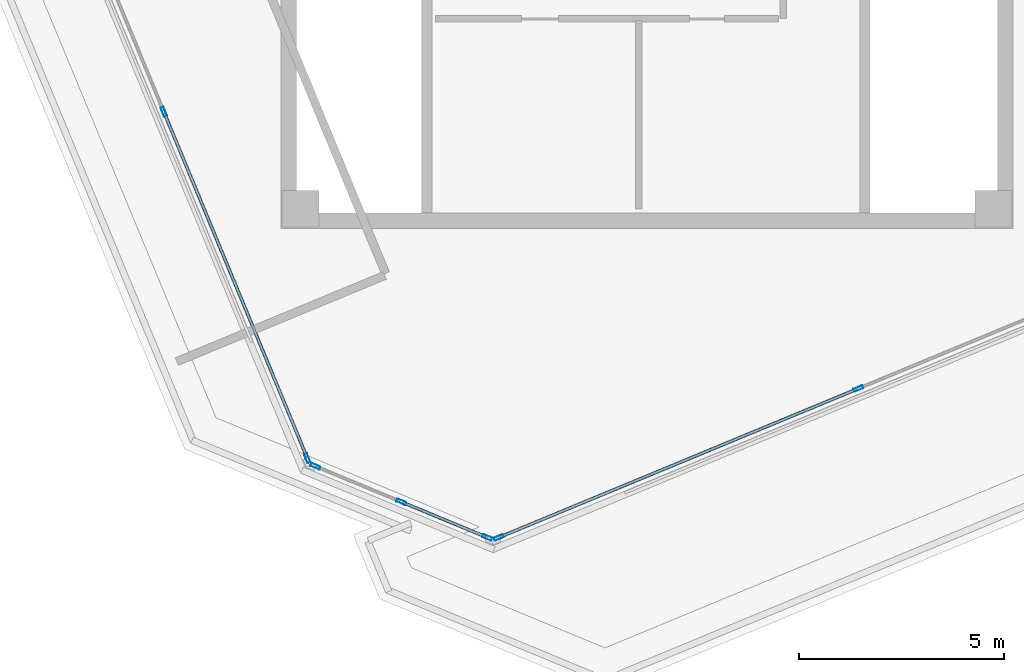
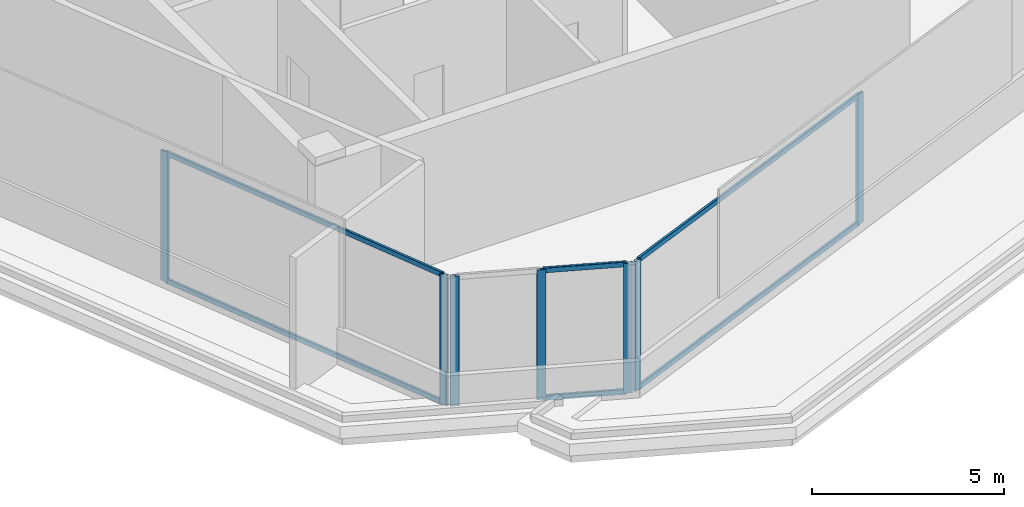
# One storey, part 2 of 11: 13 members, 3 elements without a shape of their own.
"""IFC4 building model written with IfcOpenShell, lengths in metres."""

import ifcopenshell
import ifcopenshell.guid

model = None  # the IFC model being written
_history = None  # IfcOwnerHistory: only IFC2X3 demands one
_inside = {}  # id of a spatial element -> (the spatial element, [elements in it])
_under = {}  # id of a project, library or spatial element -> (it, [spatial elements below it])
_declared = {}  # id of a project -> (the project, [libraries it declares])
_typed = {}  # id of a type object -> (the type object, [elements of that type])
_made_of = {}  # id of a material, layer set ... -> (it, [elements and type objects made of it])


def new_model(schema):
    """Start an empty IFC model of exactly this schema.

    Asked for "IFC4X3", IfcOpenShell would pick the latest addendum, in which some entities
    have other attributes; the version numbers below select the first issue.
    IFC2X3 requires an IfcOwnerHistory on every rooted entity: one is made here for all.
    """
    global model, _history
    if schema == "IFC4X3":
        model = ifcopenshell.file(schema_version=(4, 3, 0, 0))
    else:
        model = ifcopenshell.file(schema=schema)
    _inside.clear()
    _under.clear()
    _declared.clear()
    _typed.clear()
    _made_of.clear()
    _history = None
    if model.schema == "IFC2X3":
        org = make("IfcOrganization", Name="unknown")
        user = make(
            "IfcPersonAndOrganization",
            ThePerson=make("IfcPerson", FamilyName="unknown"),
            TheOrganization=org,
        )
        app = make(
            "IfcApplication",
            ApplicationDeveloper=org,
            Version="unknown",
            ApplicationFullName="unknown",
            ApplicationIdentifier="unknown",
        )
        _history = make(
            "IfcOwnerHistory",
            OwningUser=user,
            OwningApplication=app,
            ChangeAction="ADDED",
            CreationDate=0,
        )
    return model


def make(cls, **values):
    """One entity of the class cls with the attributes given. An attribute that is None is left unset."""
    return model.create_entity(
        cls, **{name: value for name, value in values.items() if value is not None}
    )


def rooted(cls, **values):
    """An entity with a GlobalId (a new one), such as an element, a storey or a relation."""
    return make(cls, GlobalId=ifcopenshell.guid.new(), OwnerHistory=_history, **values)


def si_unit(unit_type, name, prefix=None):
    """IfcSIUnit, for example si_unit("LENGTHUNIT", "METRE", prefix="MILLI")."""
    return make("IfcSIUnit", UnitType=unit_type, Prefix=prefix, Name=name)


def assignment(units):
    """IfcUnitAssignment: the units of a project."""
    return None if units is None else make("IfcUnitAssignment", Units=units)


def point(xyz):
    """IfcCartesianPoint."""
    return None if xyz is None else make("IfcCartesianPoint", Coordinates=xyz)


def direction(xyz):
    """IfcDirection."""
    return None if xyz is None else make("IfcDirection", DirectionRatios=xyz)


def frame(location, z_axis=None, x_axis=None):
    """IfcAxis2Placement3D, a coordinate frame: its origin and axes. An axis left out is left unset."""
    return make(
        "IfcAxis2Placement3D",
        Location=point(location),
        Axis=direction(z_axis),
        RefDirection=direction(x_axis),
    )


def frame_2d(location, x_axis=None):
    """IfcAxis2Placement2D, a coordinate frame in the plane: its origin and x axis."""
    return make(
        "IfcAxis2Placement2D", Location=point(location), RefDirection=direction(x_axis)
    )


def origin():
    """The frame at (0, 0, 0) with its axes left unset."""
    return frame((0.0, 0.0, 0.0))


def origin_2d():
    """The frame at (0, 0) in the plane with its x axis left unset."""
    return frame_2d((0.0, 0.0))


def place(relative_to, where):
    """IfcLocalPlacement: puts the frame where relative to a parent placement (None: the world)."""
    return make(
        "IfcLocalPlacement", PlacementRelTo=relative_to, RelativePlacement=where
    )


def context(
    kind, dimensions, precision=None, world=None, true_north=None, identifier=None
):
    """IfcGeometricRepresentationContext, for example the 3D "Model" context."""
    return make(
        "IfcGeometricRepresentationContext",
        ContextIdentifier=identifier,
        ContextType=kind,
        CoordinateSpaceDimension=dimensions,
        Precision=precision,
        WorldCoordinateSystem=world,
        TrueNorth=true_north,
    )


def subcontext(parent, identifier, kind, view, scale=None):
    """IfcGeometricRepresentationSubContext, for example "Body" below "Model"."""
    return make(
        "IfcGeometricRepresentationSubContext",
        ContextIdentifier=identifier,
        ContextType=kind,
        ParentContext=parent,
        TargetScale=scale,
        TargetView=view,
    )


def project(units=None, contexts=None):
    """IfcProject with its units and contexts."""
    return rooted(
        "IfcProject",
        Name="project",
        RepresentationContexts=contexts,
        UnitsInContext=assignment(units),
    )


def spatial(cls, under=None, at=None, **own):
    """A site, building, storey or space (cls), placed at a placement, below another one or the project."""
    s = rooted(cls, ObjectPlacement=at, **own)
    if under is not None:
        _under.setdefault(under.id(), (under, []))[1].append(s)
    return s


def profile(cls, at=None, kind="AREA", **sizes):
    """A parametric profile (cls). Its sizes go by their IFC names, for example OverallWidth=200.0."""
    return make(cls, ProfileType=kind, Position=at, **sizes)


def hollow_rectangle(**sizes):
    """IfcRectangleHollowProfileDef."""
    return profile("IfcRectangleHollowProfileDef", **sizes)


def extrude(swept, where, along, depth):
    """IfcExtrudedAreaSolid: the profile swept, set in the frame where, extruded along a direction by depth."""
    return make(
        "IfcExtrudedAreaSolid",
        SweptArea=swept,
        Position=where,
        ExtrudedDirection=direction(along),
        Depth=depth,
    )


def shape(context_of_items, identifier, shape_type, items):
    """IfcShapeRepresentation: the items that make up one representation, for example the "Body"."""
    return make(
        "IfcShapeRepresentation",
        ContextOfItems=context_of_items,
        RepresentationIdentifier=identifier,
        RepresentationType=shape_type,
        Items=items,
    )


def source(mapping_origin, context_of_items, identifier, shape_type, items):
    """IfcRepresentationMap: a shape defined once, which mapped items show again and again."""
    return make(
        "IfcRepresentationMap",
        MappingOrigin=mapping_origin,
        MappedRepresentation=shape(context_of_items, identifier, shape_type, items),
    )


def transform(
    local_origin,
    x_axis=None,
    y_axis=None,
    z_axis=None,
    scale=None,
    scale2=None,
    scale3=None,
    uniform=True,
):
    """IfcCartesianTransformationOperator3D, or its non-uniform kind. x_axis, y_axis, z_axis: its Axis1, 2, 3."""
    if uniform:
        return make(
            "IfcCartesianTransformationOperator3D",
            Axis1=direction(x_axis),
            Axis2=direction(y_axis),
            LocalOrigin=point(local_origin),
            Scale=scale,
            Axis3=direction(z_axis),
        )
    return make(
        "IfcCartesianTransformationOperator3DnonUniform",
        Axis1=direction(x_axis),
        Axis2=direction(y_axis),
        LocalOrigin=point(local_origin),
        Scale=scale,
        Axis3=direction(z_axis),
        Scale2=scale2,
        Scale3=scale3,
    )


def mapped(mapping_source, mapping_target):
    """IfcMappedItem: shows the shape of a source again, moved by a transform."""
    return make(
        "IfcMappedItem", MappingSource=mapping_source, MappingTarget=mapping_target
    )


def material(Name=None, Category=None):
    """IfcMaterial."""
    return make("IfcMaterial", Name=Name, Category=Category)


def material_profile(
    of_material, cross_section, Name=None, Category=None, Priority=None
):
    """IfcMaterialProfile: a cross section and its material."""
    return make(
        "IfcMaterialProfile",
        Name=Name,
        Material=of_material,
        Profile=cross_section,
        Priority=Priority,
        Category=Category,
    )


def profile_set(profiles, Name=None, composite=None):
    """IfcMaterialProfileSet."""
    return make(
        "IfcMaterialProfileSet",
        Name=Name,
        MaterialProfiles=profiles,
        CompositeProfile=composite,
    )


def made_of(thing, what):
    """Note that an element or type object is made of a material, layer set ...; save() writes the relation."""
    if what is not None:
        _made_of.setdefault(what.id(), (what, []))[1].append(thing)
    return thing


def type_object(cls, material=None, **own):
    """A type object (cls), such as IfcWallType, which elements share."""
    return made_of(rooted(cls, **own), material)


def element(
    cls,
    number,
    at=None,
    inside=None,
    cuts=None,
    type_object=None,
    material=None,
    context=None,
    identifier="Body",
    shape_type=None,
    held_by="IfcProductDefinitionShape",
    body=None,
    shapes=None,
    **own,
):
    """One element of the class cls, such as IfcWall. Its Tag is "e" and its number.

    at: its placement. inside: the storey or other place that contains it. cuts: it is an
    opening in that element (IfcRelVoidsElement). A single representation is given by context,
    identifier, shape_type and body (its items); several are given by shapes. held_by: the class
    of the entity that holds the representations. save() writes the other relations.
    """
    e = rooted(cls, Tag="e%d" % number, ObjectPlacement=at, **own)
    if body is not None:
        shapes = [shape(context, identifier, shape_type, body)]
    if shapes is not None:
        e.Representation = make(held_by, Representations=shapes)
    if inside is not None:
        _inside.setdefault(inside.id(), (inside, []))[1].append(e)
    if cuts is not None:
        rooted(
            "IfcRelVoidsElement", RelatingBuildingElement=cuts, RelatedOpeningElement=e
        )
    if type_object is not None:
        _typed.setdefault(type_object.id(), (type_object, []))[1].append(e)
    return made_of(e, material)


def aggregate(whole, parts):
    """IfcRelAggregates: a whole, such as a stair, and the parts it consists of."""
    return rooted("IfcRelAggregates", RelatingObject=whole, RelatedObjects=parts)


def save(model, path):
    """Write the relations noted so far, then the file.

    IfcRelAggregates (storeys below a building ...), IfcRelContainedInSpatialStructure (elements
    in a storey), IfcRelDefinesByType, IfcRelAssociatesMaterial and IfcRelDeclares: one each for
    every whole, place, type object, material and project.
    """
    for whole, parts in _under.values():
        aggregate(whole, parts)
    for where, things in _inside.values():
        rooted(
            "IfcRelContainedInSpatialStructure",
            RelatedElements=things,
            RelatingStructure=where,
        )
    for kind, things in _typed.values():
        rooted("IfcRelDefinesByType", RelatedObjects=things, RelatingType=kind)
    for what, things in _made_of.values():
        rooted("IfcRelAssociatesMaterial", RelatedObjects=things, RelatingMaterial=what)
    for by, libraries in _declared.values():
        rooted("IfcRelDeclares", RelatingContext=by, RelatedDefinitions=libraries)
    model.write(path)


model = new_model("IFC4")

# Units and contexts
model_context = context("Model", 3, precision=1e-05, world=origin(), true_north=direction((0.0, 1.0)))
body_context = subcontext(model_context, "Body", "Model", "MODEL_VIEW")
ifc_project = project(units=[si_unit("LENGTHUNIT", "METRE"), si_unit("AREAUNIT", "SQUARE_METRE"), si_unit("VOLUMEUNIT", "CUBIC_METRE"), si_unit("PLANEANGLEUNIT", "RADIAN"), si_unit("MASSUNIT", "GRAM", prefix="KILO")], contexts=[model_context])

# Site, building, storey
site_placement = place(None, origin())
site = spatial("IfcSite", under=ifc_project, at=site_placement, CompositionType="ELEMENT")
building_placement = place(site_placement, origin())
building = spatial("IfcBuilding", under=site, at=building_placement, Name="Torre Montelarca", CompositionType="ELEMENT")
storey_placement = place(building_placement, frame((0.0, 0.0, 366.0)))
storey = spatial("IfcBuildingStorey", under=building, at=storey_placement, Name="L82", CompositionType="ELEMENT", Elevation=366.0)

# Curtain wall, members
ifc_material_1 = material(Name="Amber translucent laminated glass", Category="glass")
curtain_wall_type = type_object("IfcCurtainWallType", Name="CW-SYS-LANT", PredefinedType="USERDEFINED", material=ifc_material_1)
curtain_wall_1_placement = place(storey_placement, origin())
curtain_wall_1 = element("IfcCurtainWall", 1, at=curtain_wall_1_placement, inside=storey, type_object=curtain_wall_type, Name="L82 Curtain Wall Run CW-T3-L82-E01-B1", ObjectType="TRANSLUCENT LANTERN", PredefinedType="USERDEFINED")
ifc_material_2 = material(Name="Anodised aluminium AA 6063-T6", Category="aluminium")
ifc_material_profile_1 = material_profile(ifc_material_2, hollow_rectangle(XDim=0.080078125, YDim=0.239990234375, WallThickness=0.0048828125, InnerFilletRadius=0.0048828125, OuterFilletRadius=0.010009765625, at=origin_2d()), Name="ALU80X240X5", Category="aluminium")
ifc_profile_set_1 = profile_set([ifc_material_profile_1], Name="Anodised aluminium AA 6063-T6")
member_type_1 = type_object("IfcMemberType", Name="CWM-ALU240", PredefinedType="MULLION", material=ifc_profile_set_1)
shared_shape_1 = source(origin(), body_context, "Body", "SweptSolid", [
    extrude(hollow_rectangle(XDim=0.080078125, YDim=0.239990234375, WallThickness=0.0048828125, InnerFilletRadius=0.0048828125, OuterFilletRadius=0.010009765625, at=origin_2d()), origin(), (0.0, 0.0, 1.0), 4.1201171875),
])
member_1_placement = place(storey_placement, frame((6.213134765625, 26.912841796875, 0.0), z_axis=(0.0, 0.0, 1.0), x_axis=(0.923880409733, 0.382681314557, 0.0)))
member_1 = element("IfcMember", 2, at=member_1_placement, type_object=member_type_1, Name="CW mullion 2", PredefinedType="MULLION", context=body_context, shape_type="MappedRepresentation", body=[
    mapped(shared_shape_1, transform((0.0, 0.0, 0.0), scale=1.0)),
])
member_2_placement = place(storey_placement, frame((9.71240234375, 18.464599609375, 0.0), z_axis=(0.0, 0.0, 1.0), x_axis=(0.923880409733, 0.382681314557, 0.0)))
member_2 = element("IfcMember", 3, at=member_2_placement, type_object=member_type_1, Name="CW mullion 3", PredefinedType="MULLION", context=body_context, shape_type="MappedRepresentation", body=[
    mapped(shared_shape_1, transform((0.0, 0.0, 0.0), scale=1.0)),
])

curtain_wall_2_placement = place(storey_placement, origin())
curtain_wall_2 = element("IfcCurtainWall", 4, at=curtain_wall_2_placement, inside=storey, type_object=curtain_wall_type, Name="L82 Curtain Wall Run CW-T3-L82-E02-B1", ObjectType="TRANSLUCENT LANTERN", PredefinedType="USERDEFINED")
member_3_placement = place(storey_placement, frame((9.9111328125, 18.26611328125, 0.0), z_axis=(0.0, 0.0, 1.0), x_axis=(0.382683295127, 0.923879589357, 0.0)))
member_3 = element("IfcMember", 5, at=member_3_placement, type_object=member_type_1, Name="CW mullion 1", PredefinedType="MULLION", context=body_context, shape_type="MappedRepresentation", body=[
    mapped(shared_shape_1, transform((0.0, 0.0, 0.0), scale=1.0)),
])
member_4_placement = place(storey_placement, frame((12.00732421875, 17.397705078125, 0.0), z_axis=(0.0, 0.0, 1.0), x_axis=(0.382683295127, 0.923879589357, 0.0)))
member_4 = element("IfcMember", 6, at=member_4_placement, type_object=member_type_1, Name="CW mullion 2", PredefinedType="MULLION", context=body_context, shape_type="MappedRepresentation", body=[
    mapped(shared_shape_1, transform((0.0, 0.0, 0.0), scale=1.0)),
])
member_5_placement = place(storey_placement, frame((14.103759765625, 16.529296875, 0.0), z_axis=(0.0, 0.0, 1.0), x_axis=(0.382683295127, 0.923879589357, 0.0)))
member_5 = element("IfcMember", 7, at=member_5_placement, type_object=member_type_1, Name="CW mullion 3", PredefinedType="MULLION", context=body_context, shape_type="MappedRepresentation", body=[
    mapped(shared_shape_1, transform((0.0, 0.0, 0.0), scale=1.0)),
])

curtain_wall_3_placement = place(storey_placement, origin())
curtain_wall_3 = element("IfcCurtainWall", 8, at=curtain_wall_3_placement, inside=storey, type_object=curtain_wall_type, Name="L82 Curtain Wall Run CW-T3-L82-E03-B1", ObjectType="TRANSLUCENT LANTERN", PredefinedType="USERDEFINED")
member_6_placement = place(storey_placement, frame((14.384521484375, 16.529296875, 0.0), z_axis=(0.0, 0.0, 1.0), x_axis=(-0.382682649654, 0.92387985672, 0.0)))
member_6 = element("IfcMember", 9, at=member_6_placement, type_object=member_type_1, Name="CW mullion 1", PredefinedType="MULLION", context=body_context, shape_type="MappedRepresentation", body=[
    mapped(shared_shape_1, transform((0.0, 0.0, 0.0), scale=1.0)),
])
member_7_placement = place(storey_placement, frame((23.156005859375, 20.16259765625, 0.0), z_axis=(0.0, 0.0, 1.0), x_axis=(-0.382682649654, 0.92387985672, 0.0)))
member_7 = element("IfcMember", 10, at=member_7_placement, type_object=member_type_1, Name="CW mullion 2", PredefinedType="MULLION", context=body_context, shape_type="MappedRepresentation", body=[
    mapped(shared_shape_1, transform((0.0, 0.0, 0.0), scale=1.0)),
])

# Member
ifc_material_profile_2 = material_profile(ifc_material_2, hollow_rectangle(XDim=0.074951171875, YDim=0.159912109375, WallThickness=0.0048828125, InnerFilletRadius=0.0048828125, OuterFilletRadius=0.010009765625, at=origin_2d()), Name="ALU75X160X5", Category="aluminium")
ifc_profile_set_2 = profile_set([ifc_material_profile_2], Name="Anodised aluminium AA 6063-T6")
member_type_2 = type_object("IfcMemberType", Name="CWT-ALU160", PredefinedType="USERDEFINED", material=ifc_profile_set_2)
shared_shape_2 = source(origin(), body_context, "Body", "SweptSolid", [
    extrude(hollow_rectangle(XDim=0.074951171875, YDim=0.159912109375, WallThickness=0.0048828125, InnerFilletRadius=0.0048828125, OuterFilletRadius=0.010009765625, at=origin_2d()), origin(), (0.0, 0.0, 1.0), 9.06396484375),
])
member_8_placement = place(storey_placement, frame((6.228515625, 26.875732421875, 0.03759765625), z_axis=(0.382694348506, -0.923875010822, 0.0), x_axis=(0.923875010822, 0.382694348506, 0.0)))
member_8 = element("IfcMember", 11, at=member_8_placement, type_object=member_type_2, Name="CW transom 2.1", ObjectType="TRANSOM", PredefinedType="USERDEFINED", context=body_context, shape_type="MappedRepresentation", body=[
    mapped(shared_shape_2, transform((0.0, 0.0, 0.0), scale=1.0)),
])

member_9_placement = place(storey_placement, frame((6.228515625, 26.875732421875, 4.08251953125), z_axis=(0.382694348506, -0.923875010822, 0.0), x_axis=(0.923875010822, 0.382694348506, 0.0)))
member_9 = element("IfcMember", 12, at=member_9_placement, type_object=member_type_2, Name="CW transom 2.2", ObjectType="TRANSOM", PredefinedType="USERDEFINED", context=body_context, shape_type="MappedRepresentation", body=[
    mapped(shared_shape_2, transform((0.0, 0.0, 0.0), scale=1.0)),
])

aggregate(curtain_wall_1, [member_1, member_2, member_8, member_9])

shared_shape_3 = source(origin(), body_context, "Body", "SweptSolid", [
    extrude(hollow_rectangle(XDim=0.074951171875, YDim=0.159912109375, WallThickness=0.0048828125, InnerFilletRadius=0.0048828125, OuterFilletRadius=0.010009765625, at=origin_2d()), origin(), (0.0, 0.0, 1.0), 2.188720703125),
])
member_10_placement = place(storey_placement, frame((12.04443359375, 17.38232421875, 0.03759765625), z_axis=(0.923876808997, -0.382690007445, 0.0), x_axis=(0.382690007445, 0.923876808997, 0.0)))
member_10 = element("IfcMember", 13, at=member_10_placement, type_object=member_type_2, Name="CW transom 2.1", ObjectType="TRANSOM", PredefinedType="USERDEFINED", context=body_context, shape_type="MappedRepresentation", body=[
    mapped(shared_shape_3, transform((0.0, 0.0, 0.0), scale=1.0)),
])

member_11_placement = place(storey_placement, frame((12.04443359375, 17.38232421875, 4.08251953125), z_axis=(0.923876808997, -0.382690007445, 0.0), x_axis=(0.382690007445, 0.923876808997, 0.0)))
member_11 = element("IfcMember", 14, at=member_11_placement, type_object=member_type_2, Name="CW transom 2.2", ObjectType="TRANSOM", PredefinedType="USERDEFINED", context=body_context, shape_type="MappedRepresentation", body=[
    mapped(shared_shape_3, transform((0.0, 0.0, 0.0), scale=1.0)),
])

aggregate(curtain_wall_2, [member_3, member_4, member_5, member_10, member_11])

shared_shape_4 = source(origin(), body_context, "Body", "SweptSolid", [
    extrude(hollow_rectangle(XDim=0.074951171875, YDim=0.159912109375, WallThickness=0.0048828125, InnerFilletRadius=0.0048828125, OuterFilletRadius=0.010009765625, at=origin_2d()), origin(), (0.0, 0.0, 1.0), 9.4140625),
])
member_12_placement = place(storey_placement, frame((14.421630859375, 16.544677734375, 0.03759765625), z_axis=(0.923873647492, 0.382697639749, 0.0), x_axis=(-0.382697639749, 0.923873647492, 0.0)))
member_12 = element("IfcMember", 15, at=member_12_placement, type_object=member_type_2, Name="CW transom 1.1", ObjectType="TRANSOM", PredefinedType="USERDEFINED", context=body_context, shape_type="MappedRepresentation", body=[
    mapped(shared_shape_4, transform((0.0, 0.0, 0.0), scale=1.0)),
])

member_13_placement = place(storey_placement, frame((14.421630859375, 16.544677734375, 4.08251953125), z_axis=(0.923873647492, 0.382697639749, 0.0), x_axis=(-0.382697639749, 0.923873647492, 0.0)))
member_13 = element("IfcMember", 16, at=member_13_placement, type_object=member_type_2, Name="CW transom 1.2", ObjectType="TRANSOM", PredefinedType="USERDEFINED", context=body_context, shape_type="MappedRepresentation", body=[
    mapped(shared_shape_4, transform((0.0, 0.0, 0.0), scale=1.0)),
])

aggregate(curtain_wall_3, [member_6, member_7, member_12, member_13])

save(model, "model.ifc")
